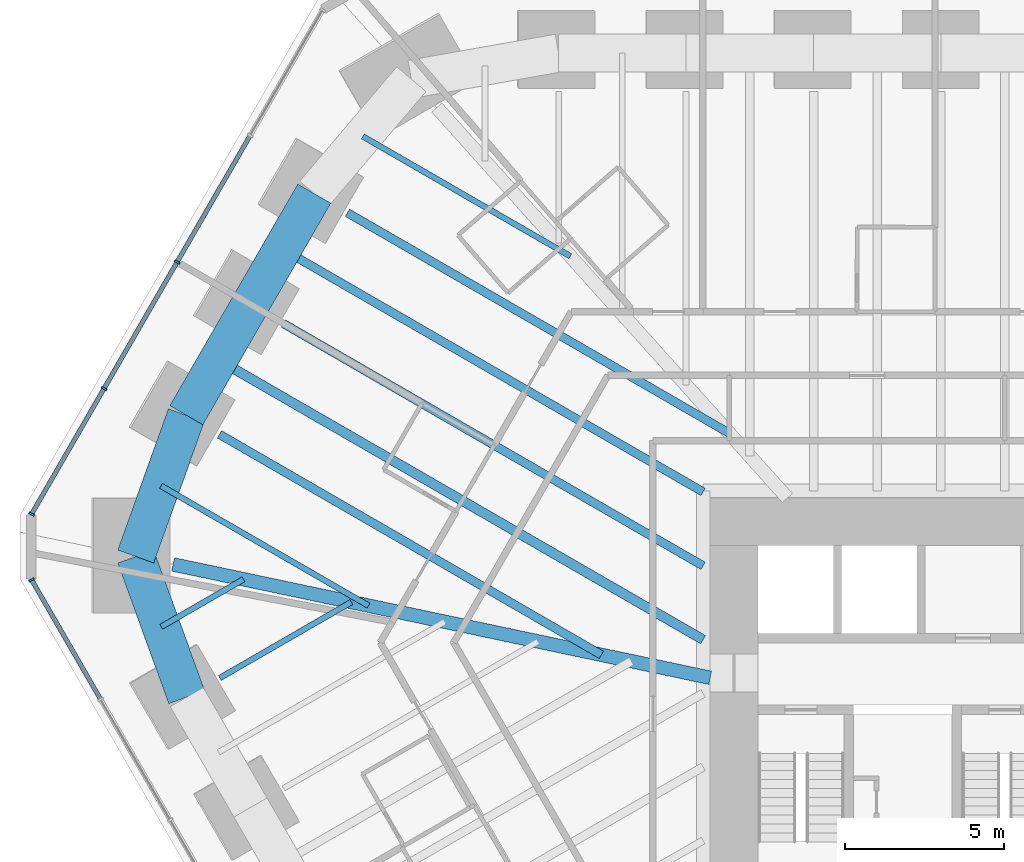
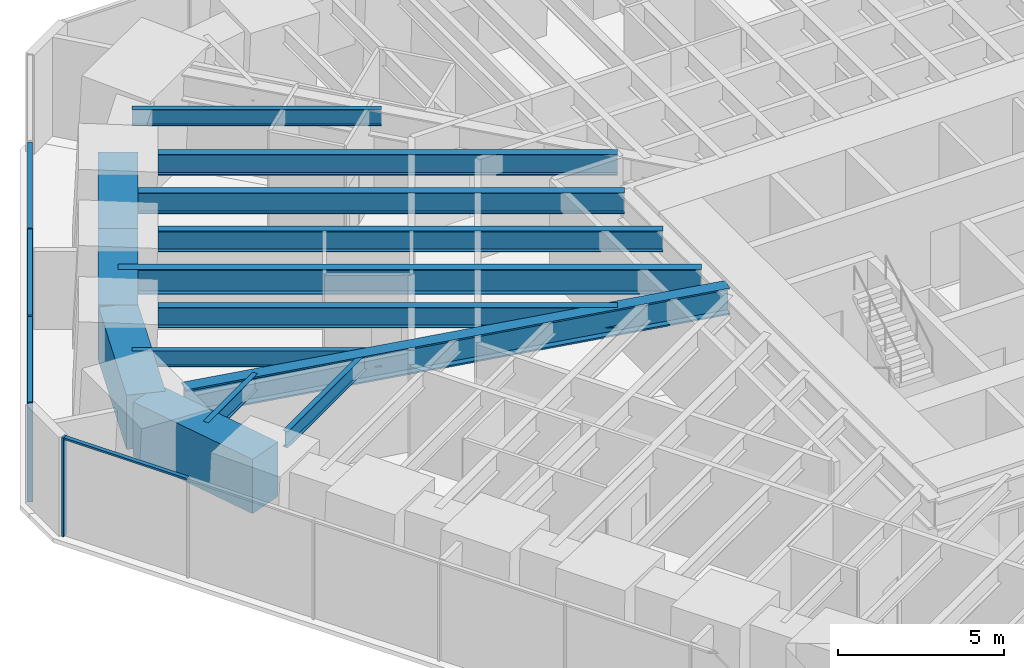
# One storey, part 7 of 17: 14 beams, 8 members, 2 elements without a shape of their own.
"""IFC4 building model written with IfcOpenShell, lengths in metres."""

import ifcopenshell
import ifcopenshell.guid

model = None  # the IFC model being written
_history = None  # IfcOwnerHistory: only IFC2X3 demands one
_inside = {}  # id of a spatial element -> (the spatial element, [elements in it])
_under = {}  # id of a project, library or spatial element -> (it, [spatial elements below it])
_declared = {}  # id of a project -> (the project, [libraries it declares])
_typed = {}  # id of a type object -> (the type object, [elements of that type])
_made_of = {}  # id of a material, layer set ... -> (it, [elements and type objects made of it])


def new_model(schema):
    """Start an empty IFC model of exactly this schema.

    Asked for "IFC4X3", IfcOpenShell would pick the latest addendum, in which some entities
    have other attributes; the version numbers below select the first issue.
    IFC2X3 requires an IfcOwnerHistory on every rooted entity: one is made here for all.
    """
    global model, _history
    if schema == "IFC4X3":
        model = ifcopenshell.file(schema_version=(4, 3, 0, 0))
    else:
        model = ifcopenshell.file(schema=schema)
    _inside.clear()
    _under.clear()
    _declared.clear()
    _typed.clear()
    _made_of.clear()
    _history = None
    if model.schema == "IFC2X3":
        org = make("IfcOrganization", Name="unknown")
        user = make(
            "IfcPersonAndOrganization",
            ThePerson=make("IfcPerson", FamilyName="unknown"),
            TheOrganization=org,
        )
        app = make(
            "IfcApplication",
            ApplicationDeveloper=org,
            Version="unknown",
            ApplicationFullName="unknown",
            ApplicationIdentifier="unknown",
        )
        _history = make(
            "IfcOwnerHistory",
            OwningUser=user,
            OwningApplication=app,
            ChangeAction="ADDED",
            CreationDate=0,
        )
    return model


def make(cls, **values):
    """One entity of the class cls with the attributes given. An attribute that is None is left unset."""
    return model.create_entity(
        cls, **{name: value for name, value in values.items() if value is not None}
    )


def rooted(cls, **values):
    """An entity with a GlobalId (a new one), such as an element, a storey or a relation."""
    return make(cls, GlobalId=ifcopenshell.guid.new(), OwnerHistory=_history, **values)


def si_unit(unit_type, name, prefix=None):
    """IfcSIUnit, for example si_unit("LENGTHUNIT", "METRE", prefix="MILLI")."""
    return make("IfcSIUnit", UnitType=unit_type, Prefix=prefix, Name=name)


def assignment(units):
    """IfcUnitAssignment: the units of a project."""
    return None if units is None else make("IfcUnitAssignment", Units=units)


def point(xyz):
    """IfcCartesianPoint."""
    return None if xyz is None else make("IfcCartesianPoint", Coordinates=xyz)


def direction(xyz):
    """IfcDirection."""
    return None if xyz is None else make("IfcDirection", DirectionRatios=xyz)


def frame(location, z_axis=None, x_axis=None):
    """IfcAxis2Placement3D, a coordinate frame: its origin and axes. An axis left out is left unset."""
    return make(
        "IfcAxis2Placement3D",
        Location=point(location),
        Axis=direction(z_axis),
        RefDirection=direction(x_axis),
    )


def frame_2d(location, x_axis=None):
    """IfcAxis2Placement2D, a coordinate frame in the plane: its origin and x axis."""
    return make(
        "IfcAxis2Placement2D", Location=point(location), RefDirection=direction(x_axis)
    )


def origin():
    """The frame at (0, 0, 0) with its axes left unset."""
    return frame((0.0, 0.0, 0.0))


def origin_2d():
    """The frame at (0, 0) in the plane with its x axis left unset."""
    return frame_2d((0.0, 0.0))


def place(relative_to, where):
    """IfcLocalPlacement: puts the frame where relative to a parent placement (None: the world)."""
    return make(
        "IfcLocalPlacement", PlacementRelTo=relative_to, RelativePlacement=where
    )


def context(
    kind, dimensions, precision=None, world=None, true_north=None, identifier=None
):
    """IfcGeometricRepresentationContext, for example the 3D "Model" context."""
    return make(
        "IfcGeometricRepresentationContext",
        ContextIdentifier=identifier,
        ContextType=kind,
        CoordinateSpaceDimension=dimensions,
        Precision=precision,
        WorldCoordinateSystem=world,
        TrueNorth=true_north,
    )


def subcontext(parent, identifier, kind, view, scale=None):
    """IfcGeometricRepresentationSubContext, for example "Body" below "Model"."""
    return make(
        "IfcGeometricRepresentationSubContext",
        ContextIdentifier=identifier,
        ContextType=kind,
        ParentContext=parent,
        TargetScale=scale,
        TargetView=view,
    )


def project(units=None, contexts=None):
    """IfcProject with its units and contexts."""
    return rooted(
        "IfcProject",
        Name="project",
        RepresentationContexts=contexts,
        UnitsInContext=assignment(units),
    )


def spatial(cls, under=None, at=None, **own):
    """A site, building, storey or space (cls), placed at a placement, below another one or the project."""
    s = rooted(cls, ObjectPlacement=at, **own)
    if under is not None:
        _under.setdefault(under.id(), (under, []))[1].append(s)
    return s


def profile(cls, at=None, kind="AREA", **sizes):
    """A parametric profile (cls). Its sizes go by their IFC names, for example OverallWidth=200.0."""
    return make(cls, ProfileType=kind, Position=at, **sizes)


def rectangle(**sizes):
    """IfcRectangleProfileDef."""
    return profile("IfcRectangleProfileDef", **sizes)


def i_section(**sizes):
    """IfcIShapeProfileDef."""
    return profile("IfcIShapeProfileDef", **sizes)


def extrude(swept, where, along, depth):
    """IfcExtrudedAreaSolid: the profile swept, set in the frame where, extruded along a direction by depth."""
    return make(
        "IfcExtrudedAreaSolid",
        SweptArea=swept,
        Position=where,
        ExtrudedDirection=direction(along),
        Depth=depth,
    )


def shape(context_of_items, identifier, shape_type, items):
    """IfcShapeRepresentation: the items that make up one representation, for example the "Body"."""
    return make(
        "IfcShapeRepresentation",
        ContextOfItems=context_of_items,
        RepresentationIdentifier=identifier,
        RepresentationType=shape_type,
        Items=items,
    )


def material(Name=None, Category=None):
    """IfcMaterial."""
    return make("IfcMaterial", Name=Name, Category=Category)


def material_profile(
    of_material, cross_section, Name=None, Category=None, Priority=None
):
    """IfcMaterialProfile: a cross section and its material."""
    return make(
        "IfcMaterialProfile",
        Name=Name,
        Material=of_material,
        Profile=cross_section,
        Priority=Priority,
        Category=Category,
    )


def profile_set(profiles, Name=None, composite=None):
    """IfcMaterialProfileSet."""
    return make(
        "IfcMaterialProfileSet",
        Name=Name,
        MaterialProfiles=profiles,
        CompositeProfile=composite,
    )


def made_of(thing, what):
    """Note that an element or type object is made of a material, layer set ...; save() writes the relation."""
    if what is not None:
        _made_of.setdefault(what.id(), (what, []))[1].append(thing)
    return thing


def type_object(cls, material=None, **own):
    """A type object (cls), such as IfcWallType, which elements share."""
    return made_of(rooted(cls, **own), material)


def element(
    cls,
    number,
    at=None,
    inside=None,
    cuts=None,
    type_object=None,
    material=None,
    context=None,
    identifier="Body",
    shape_type=None,
    held_by="IfcProductDefinitionShape",
    body=None,
    shapes=None,
    **own,
):
    """One element of the class cls, such as IfcWall. Its Tag is "e" and its number.

    at: its placement. inside: the storey or other place that contains it. cuts: it is an
    opening in that element (IfcRelVoidsElement). A single representation is given by context,
    identifier, shape_type and body (its items); several are given by shapes. held_by: the class
    of the entity that holds the representations. save() writes the other relations.
    """
    e = rooted(cls, Tag="e%d" % number, ObjectPlacement=at, **own)
    if body is not None:
        shapes = [shape(context, identifier, shape_type, body)]
    if shapes is not None:
        e.Representation = make(held_by, Representations=shapes)
    if inside is not None:
        _inside.setdefault(inside.id(), (inside, []))[1].append(e)
    if cuts is not None:
        rooted(
            "IfcRelVoidsElement", RelatingBuildingElement=cuts, RelatedOpeningElement=e
        )
    if type_object is not None:
        _typed.setdefault(type_object.id(), (type_object, []))[1].append(e)
    return made_of(e, material)


def aggregate(whole, parts):
    """IfcRelAggregates: a whole, such as a stair, and the parts it consists of."""
    return rooted("IfcRelAggregates", RelatingObject=whole, RelatedObjects=parts)


def save(model, path):
    """Write the relations noted so far, then the file.

    IfcRelAggregates (storeys below a building ...), IfcRelContainedInSpatialStructure (elements
    in a storey), IfcRelDefinesByType, IfcRelAssociatesMaterial and IfcRelDeclares: one each for
    every whole, place, type object, material and project.
    """
    for whole, parts in _under.values():
        aggregate(whole, parts)
    for where, things in _inside.values():
        rooted(
            "IfcRelContainedInSpatialStructure",
            RelatedElements=things,
            RelatingStructure=where,
        )
    for kind, things in _typed.values():
        rooted("IfcRelDefinesByType", RelatedObjects=things, RelatingType=kind)
    for what, things in _made_of.values():
        rooted("IfcRelAssociatesMaterial", RelatedObjects=things, RelatingMaterial=what)
    for by, libraries in _declared.values():
        rooted("IfcRelDeclares", RelatingContext=by, RelatedDefinitions=libraries)
    model.write(path)


model = new_model("IFC4")

# Units and contexts
model_context = context("Model", 3, precision=1e-05, world=origin(), true_north=direction((0.0, 1.0)))
body_context = subcontext(model_context, "Body", "Model", "MODEL_VIEW")
ifc_project = project(units=[si_unit("LENGTHUNIT", "METRE"), si_unit("AREAUNIT", "SQUARE_METRE"), si_unit("VOLUMEUNIT", "CUBIC_METRE"), si_unit("PLANEANGLEUNIT", "RADIAN"), si_unit("MASSUNIT", "GRAM", prefix="KILO")], contexts=[model_context])

# Site, building, storey
site_placement = place(None, origin())
site = spatial("IfcSite", under=ifc_project, at=site_placement, CompositionType="ELEMENT")
building_placement = place(site_placement, origin())
building = spatial("IfcBuilding", under=site, at=building_placement, Name="Sandreach Pilgrim Tower", CompositionType="ELEMENT")
storey_placement = place(building_placement, frame((0.0, 0.0, 83.800048828125)))
storey = spatial("IfcBuildingStorey", under=building, at=storey_placement, Name="L20", CompositionType="ELEMENT", Elevation=83.800048828125)

# Curtain wall, member
ifc_material_1 = material(Name="Aluminium framed curtain wall", Category="aluminium")
curtain_wall_type = type_object("IfcCurtainWallType", Name="Hostel tower curtain wall", PredefinedType="NOTDEFINED", material=ifc_material_1)
curtain_wall_1_placement = place(storey_placement, origin())
curtain_wall_1 = element("IfcCurtainWall", 1, at=curtain_wall_1_placement, inside=storey, type_object=curtain_wall_type, Name="CW-1 L20 SW", PredefinedType="NOTDEFINED")
ifc_material_2 = material(Name="Aluminium extrusion", Category="aluminium")
ifc_material_profile_1 = material_profile(ifc_material_2, rectangle(XDim=0.06494140625, YDim=0.179931640625, at=origin_2d()), Name="CW-1M 65X180")
ifc_profile_set_1 = profile_set([ifc_material_profile_1], Name="Aluminium extrusion")
member_type_1 = type_object("IfcMemberType", Name="CW-1 mullion", PredefinedType="MULLION", material=ifc_profile_set_1)
member_1_placement = place(storey_placement, frame((-30.56005859375, 5.033935546875, 0.0), z_axis=(0.0, 0.0, 1.0), x_axis=(-0.5, 0.866025403784, 0.0)))
member_1 = element("IfcMember", 2, at=member_1_placement, type_object=member_type_1, Name="CW-1 mullion 10", PredefinedType="MULLION", context=body_context, shape_type="SweptSolid", body=[
    extrude(rectangle(XDim=0.06494140625, YDim=0.179931640625, at=origin_2d()), origin(), (0.0, 0.0, 1.0), 3.639892578125),
])

# Curtain wall, members
curtain_wall_2_placement = place(storey_placement, origin())
curtain_wall_2 = element("IfcCurtainWall", 3, at=curtain_wall_2_placement, inside=storey, type_object=curtain_wall_type, Name="CW-1 L20 NW", PredefinedType="NOTDEFINED")
member_2_placement = place(storey_placement, frame((-30.56005859375, 7.09033203125, 0.0), z_axis=(0.0, 0.0, 1.0), x_axis=(0.5, 0.866025403784, 0.0)))
member_2 = element("IfcMember", 4, at=member_2_placement, type_object=member_type_1, Name="CW-1 mullion 1", PredefinedType="MULLION", context=body_context, shape_type="SweptSolid", body=[
    extrude(rectangle(XDim=0.06494140625, YDim=0.179931640625, at=origin_2d()), origin(), (0.0, 0.0, 1.0), 3.639892578125),
])
member_3_placement = place(storey_placement, frame((-28.283203125, 11.03369140625, 0.0), z_axis=(0.0, 0.0, 1.0), x_axis=(0.5, 0.866025403784, 0.0)))
member_3 = element("IfcMember", 5, at=member_3_placement, type_object=member_type_1, Name="CW-1 mullion 2", PredefinedType="MULLION", context=body_context, shape_type="SweptSolid", body=[
    extrude(rectangle(XDim=0.06494140625, YDim=0.179931640625, at=origin_2d()), origin(), (0.0, 0.0, 1.0), 3.639892578125),
])
member_4_placement = place(storey_placement, frame((-25.990234375, 15.00537109375, 0.0), z_axis=(0.0, 0.0, 1.0), x_axis=(0.5, 0.866025403784, 0.0)))
member_4 = element("IfcMember", 6, at=member_4_placement, type_object=member_type_1, Name="CW-1 mullion 3", PredefinedType="MULLION", context=body_context, shape_type="SweptSolid", body=[
    extrude(rectangle(XDim=0.06494140625, YDim=0.179931640625, at=origin_2d()), origin(), (0.0, 0.0, 1.0), 3.639892578125),
])

# Member
ifc_material_3 = material(Name="Aluminium extrusion", Category="aluminium")
ifc_material_profile_2 = material_profile(ifc_material_3, rectangle(XDim=0.139892578125, YDim=0.070068359375, at=origin_2d()), Name="CW-1T 140X70")
ifc_profile_set_2 = profile_set([ifc_material_profile_2], Name="Aluminium extrusion")
member_type_2 = type_object("IfcMemberType", Name="CW-1 transom", PredefinedType="USERDEFINED", material=ifc_profile_set_2)
member_5_placement = place(storey_placement, frame((-28.40673828125, 1.304443359375, 3.60498046875), z_axis=(-0.499991113271, 0.866030534479, 0.0), x_axis=(-0.866030534479, -0.499991113271, 0.0)))
member_5 = element("IfcMember", 7, at=member_5_placement, type_object=member_type_2, Name="CW-1 head transom 9", ObjectType="TRANSOM", PredefinedType="USERDEFINED", context=body_context, shape_type="SweptSolid", body=[
    extrude(rectangle(XDim=0.139892578125, YDim=0.070068359375, at=origin_2d()), origin(), (0.0, 0.0, 1.0), 4.27392578125),
])

aggregate(curtain_wall_1, [member_1, member_5])

member_6_placement = place(storey_placement, frame((-30.543701171875, 7.118408203125, 3.60498046875), z_axis=(0.499976706761, 0.866038851724, 0.0), x_axis=(-0.866038851724, 0.499976706761, 0.0)))
member_6 = element("IfcMember", 8, at=member_6_placement, type_object=member_type_2, Name="CW-1 head transom 1", ObjectType="TRANSOM", PredefinedType="USERDEFINED", context=body_context, shape_type="SweptSolid", body=[
    extrude(rectangle(XDim=0.139892578125, YDim=0.070068359375, at=origin_2d()), origin(), (0.0, 0.0, 1.0), 4.488525390625),
])

member_7_placement = place(storey_placement, frame((-28.266845703125, 11.06201171875, 3.60498046875), z_axis=(0.500001366228, 0.866024614991, 0.0), x_axis=(-0.866024614991, 0.500001366228, 0.0)))
member_7 = element("IfcMember", 9, at=member_7_placement, type_object=member_type_2, Name="CW-1 head transom 2", ObjectType="TRANSOM", PredefinedType="USERDEFINED", context=body_context, shape_type="SweptSolid", body=[
    extrude(rectangle(XDim=0.139892578125, YDim=0.070068359375, at=origin_2d()), origin(), (0.0, 0.0, 1.0), 4.52099609375),
])

member_8_placement = place(storey_placement, frame((-25.973876953125, 15.03369140625, 3.60498046875), z_axis=(0.500001366228, 0.866024614991, 0.0), x_axis=(-0.866024614991, 0.500001366228, 0.0)))
member_8 = element("IfcMember", 10, at=member_8_placement, type_object=member_type_2, Name="CW-1 head transom 3", ObjectType="TRANSOM", PredefinedType="USERDEFINED", context=body_context, shape_type="SweptSolid", body=[
    extrude(rectangle(XDim=0.139892578125, YDim=0.070068359375, at=origin_2d()), origin(), (0.0, 0.0, 1.0), 4.52099609375),
])

aggregate(curtain_wall_2, [member_2, member_3, member_4, member_6, member_7, member_8])

# Beams
ifc_material_4 = material(Name="Steel ASTM A992 Grade 50", Category="steel")
ifc_material_profile_3 = material_profile(ifc_material_4, i_section(OverallWidth=0.4267578125, OverallDepth=0.975341796875, WebThickness=0.031005859375, FlangeThickness=0.055908203125, at=origin_2d()), Name="W36X395")
ifc_profile_set_3 = profile_set([ifc_material_profile_3], Name="Steel ASTM A992 Grade 50")
beam_type_1 = type_object("IfcBeamType", Name="Corner girder W36X395", PredefinedType="BEAM", material=ifc_profile_set_3)
beam_1_placement = place(storey_placement, frame((-26.1142578125, 5.513671875, 3.15234375), z_axis=(0.978427731307, -0.206589386489, 0.0), x_axis=(0.206589386489, 0.978427731307, 0.0)))
element("IfcBeam", 11, at=beam_1_placement, inside=storey, type_object=beam_type_1, Name="BM L20 CG35", PredefinedType="BEAM", context=body_context, shape_type="SweptSolid", body=[
    extrude(i_section(OverallWidth=0.4267578125, OverallDepth=0.975341796875, WebThickness=0.031005859375, FlangeThickness=0.055908203125, at=origin_2d()), origin(), (0.0, 0.0, 1.0), 17.236083984375),
])
ifc_material_5 = material(Name="Steel ASTM A992 Grade 50", Category="steel")
ifc_material_profile_4 = material_profile(ifc_material_5, i_section(OverallWidth=0.1787109375, OverallDepth=0.60205078125, WebThickness=0.010986328125, FlangeThickness=0.014892578125, at=origin_2d()), Name="W24X62")
ifc_profile_set_4 = profile_set([ifc_material_profile_4], Name="Steel ASTM A992 Grade 50")
beam_type_2 = type_object("IfcBeamType", Name="Floor beam W24X62", PredefinedType="BEAM", material=ifc_profile_set_4)
beam_2_placement = place(storey_placement, frame((-24.647216796875, 1.946533203125, 3.3388671875), z_axis=(0.866033025307, 0.499986798902, 0.0), x_axis=(-0.499986798902, 0.866033025307, 0.0)))
element("IfcBeam", 12, at=beam_2_placement, inside=storey, type_object=beam_type_2, Name="BM L20 F34", PredefinedType="BEAM", context=body_context, shape_type="SweptSolid", body=[
    extrude(i_section(OverallWidth=0.1787109375, OverallDepth=0.60205078125, WebThickness=0.010986328125, FlangeThickness=0.014892578125, at=origin_2d()), origin(), (0.0, 0.0, 1.0), 4.770263671875),
])
beam_3_placement = place(storey_placement, frame((-26.4873046875, 3.553955078125, 3.3388671875), z_axis=(0.865989441933, 0.500062282582, 0.0), x_axis=(-0.500062282582, 0.865989441933, 0.0)))
element("IfcBeam", 13, at=beam_3_placement, inside=storey, type_object=beam_type_2, Name="BM L20 FM34", PredefinedType="BEAM", context=body_context, shape_type="SweptSolid", body=[
    extrude(i_section(OverallWidth=0.1787109375, OverallDepth=0.60205078125, WebThickness=0.010986328125, FlangeThickness=0.014892578125, at=origin_2d()), origin(), (0.0, 0.0, 1.0), 2.98486328125),
])
for number, where, z_axis, x_axis, name in (
    (14, (-26.493408203125, 7.97998046875, 3.3388671875), (0.866024017459, -0.500002401178, 0.0), (0.500002401178, 0.866024017459, 0.0), "BM L20 FM35"),
    (15, (-20.157470703125, 18.9541015625, 3.3388671875), (0.866024017459, -0.500002401178, 0.0), (0.500002401178, 0.866024017459, 0.0), "BM L20 FM38"),
):
    element("IfcBeam", number, at=place(storey_placement, frame(where, z_axis=z_axis, x_axis=x_axis)), inside=storey, type_object=beam_type_2, Name=name, PredefinedType="BEAM", context=body_context, shape_type="SweptSolid", body=[
        extrude(i_section(OverallWidth=0.1787109375, OverallDepth=0.60205078125, WebThickness=0.010986328125, FlangeThickness=0.014892578125, at=origin_2d()), origin(), (0.0, 0.0, 1.0), 7.52392578125),
    ])
ifc_material_6 = material(Name="Steel ASTM A992 Grade 50", Category="steel")
ifc_material_profile_5 = material_profile(ifc_material_6, i_section(OverallWidth=0.2666015625, OverallDepth=0.761962890625, WebThickness=0.014404296875, FlangeThickness=0.021484375, at=origin_2d()), Name="W30X116")
ifc_profile_set_5 = profile_set([ifc_material_profile_5], Name="Steel ASTM A992 Grade 50")
beam_type_3 = type_object("IfcBeamType", Name="Floor beam W30X116", PredefinedType="BEAM", material=ifc_profile_set_5)
for number, where, z_axis, x_axis, name in (
    (16, (-24.659423828125, 9.598388671875, 3.259033203125), (0.866022349571, -0.500005290016, 0.0), (0.500005290016, 0.866022349571, 0.0), "BM L20 F36"),
    (17, (-20.64208984375, 16.556396484375, 3.259033203125), (0.866029983618, -0.499992067412, 0.0), (0.499992067412, 0.866029983618, 0.0), "BM L20 F38"),
):
    element("IfcBeam", number, at=place(storey_placement, frame(where, z_axis=z_axis, x_axis=x_axis)), inside=storey, type_object=beam_type_3, Name=name, PredefinedType="BEAM", context=body_context, shape_type="SweptSolid", body=[
        extrude(i_section(OverallWidth=0.2666015625, OverallDepth=0.761962890625, WebThickness=0.014404296875, FlangeThickness=0.021484375, at=origin_2d()), origin(), (0.0, 0.0, 1.0), 13.847900390625),
    ])
ifc_material_7 = material(Name="Steel ASTM A992 Grade 50", Category="steel")
ifc_material_profile_6 = material_profile(ifc_material_7, i_section(OverallWidth=0.2666015625, OverallDepth=0.77978515625, WebThickness=0.0166015625, FlangeThickness=0.030029296875, at=origin_2d()), Name="W30X148")
ifc_profile_set_6 = profile_set([ifc_material_profile_6], Name="Steel ASTM A992 Grade 50")
beam_type_4 = type_object("IfcBeamType", Name="Floor beam W30X148", PredefinedType="BEAM", material=ifc_profile_set_6)
beam_4_placement = place(storey_placement, frame((-22.650634765625, 13.077392578125, 3.25), z_axis=(0.866023946137, -0.500002524711, 0.0), x_axis=(0.500002524711, 0.866023946137, 0.0)))
element("IfcBeam", 18, at=beam_4_placement, inside=storey, type_object=beam_type_4, Name="BM L20 F37", PredefinedType="BEAM", context=body_context, shape_type="SweptSolid", body=[
    extrude(i_section(OverallWidth=0.2666015625, OverallDepth=0.77978515625, WebThickness=0.0166015625, FlangeThickness=0.030029296875, at=origin_2d()), origin(), (0.0, 0.0, 1.0), 15.21728515625),
])
beam_5_placement = place(storey_placement, frame((-22.685546875, 15.4169921875, 3.25), z_axis=(0.866020908852, -0.50000778537, 0.0), x_axis=(0.50000778537, 0.866020908852, 0.0)))
element("IfcBeam", 19, at=beam_5_placement, inside=storey, type_object=beam_type_4, Name="BM L20 FM37", PredefinedType="BEAM", context=body_context, shape_type="SweptSolid", body=[
    extrude(i_section(OverallWidth=0.2666015625, OverallDepth=0.77978515625, WebThickness=0.0166015625, FlangeThickness=0.030029296875, at=origin_2d()), origin(), (0.0, 0.0, 1.0), 15.257568359375),
])
ifc_material_8 = material(Name="Steel ASTM A992 Grade 50", Category="steel")
ifc_material_profile_7 = material_profile(ifc_material_8, i_section(OverallWidth=0.3046875, OverallDepth=0.914306640625, WebThickness=0.0166015625, FlangeThickness=0.02587890625, at=origin_2d()), Name="W36X160")
ifc_profile_set_7 = profile_set([ifc_material_profile_7], Name="Steel ASTM A992 Grade 50")
beam_type_5 = type_object("IfcBeamType", Name="Floor beam W36X160", PredefinedType="BEAM", material=ifc_profile_set_7)
beam_6_placement = place(storey_placement, frame((-24.6943359375, 11.937744140625, 3.182861328125), z_axis=(0.866030150868, -0.499991777719, 0.0), x_axis=(0.499991777719, 0.866030150868, 0.0)))
element("IfcBeam", 20, at=beam_6_placement, inside=storey, type_object=beam_type_5, Name="BM L20 FM36", PredefinedType="BEAM", context=body_context, shape_type="SweptSolid", body=[
    extrude(i_section(OverallWidth=0.3046875, OverallDepth=0.914306640625, WebThickness=0.0166015625, FlangeThickness=0.02587890625, at=origin_2d()), origin(), (0.0, 0.0, 1.0), 17.576904296875),
])
ifc_material_9 = material(Name="Concrete 10000 psi", Category="concrete")
ifc_material_profile_8 = material_profile(ifc_material_9, rectangle(XDim=1.199951171875, YDim=2.0, at=origin_2d()), Name="RC1200X2000")
ifc_profile_set_8 = profile_set([ifc_material_profile_8], Name="Concrete 10000 psi")
beam_type_6 = type_object("IfcBeamType", Name="Spandrel beam RC1200X2000", PredefinedType="SPANDREL", material=ifc_profile_set_8)
beam_7_placement = place(storey_placement, frame((-25.6865234375, 1.3466796875, 2.639892578125), z_axis=(-0.341070970396, 0.9400375488, 0.0), x_axis=(-0.9400375488, -0.341070970396, 0.0)))
element("IfcBeam", 21, at=beam_7_placement, inside=storey, type_object=beam_type_6, Name="BM L20 SP34", PredefinedType="SPANDREL", context=body_context, shape_type="SweptSolid", body=[
    extrude(rectangle(XDim=1.199951171875, YDim=2.0, at=origin_2d()), origin(), (0.0, 0.0, 1.0), 4.6962890625),
])
beam_8_placement = place(storey_placement, frame((-27.288330078125, 5.761474609375, 2.639892578125), z_axis=(0.337330514543, 0.941386277762, 0.0), x_axis=(-0.941386277762, 0.337330514543, 0.0)))
element("IfcBeam", 22, at=beam_8_placement, inside=storey, type_object=beam_type_6, Name="BM L20 SP35", PredefinedType="SPANDREL", context=body_context, shape_type="SweptSolid", body=[
    extrude(rectangle(XDim=1.199951171875, YDim=2.0, at=origin_2d()), origin(), (0.0, 0.0, 1.0), 4.713134765625),
])
for number, where, z_axis, x_axis, name in (
    (23, (-25.698486328125, 10.1982421875, 2.639892578125), (0.499962685275, 0.866046946379, 0.0), (-0.866046946379, 0.499962685275, 0.0), "BM L20 SP36"),
    (24, (-23.68994140625, 13.677490234375, 2.639892578125), (0.500034578927, 0.866005438711, 0.0), (-0.866005438711, 0.500034578927, 0.0), "BM L20 SP37"),
):
    element("IfcBeam", number, at=place(storey_placement, frame(where, z_axis=z_axis, x_axis=x_axis)), inside=storey, type_object=beam_type_6, Name=name, PredefinedType="SPANDREL", context=body_context, shape_type="SweptSolid", body=[
        extrude(rectangle(XDim=1.199951171875, YDim=2.0, at=origin_2d()), origin(), (0.0, 0.0, 1.0), 4.017333984375),
    ])

save(model, "model.ifc")
